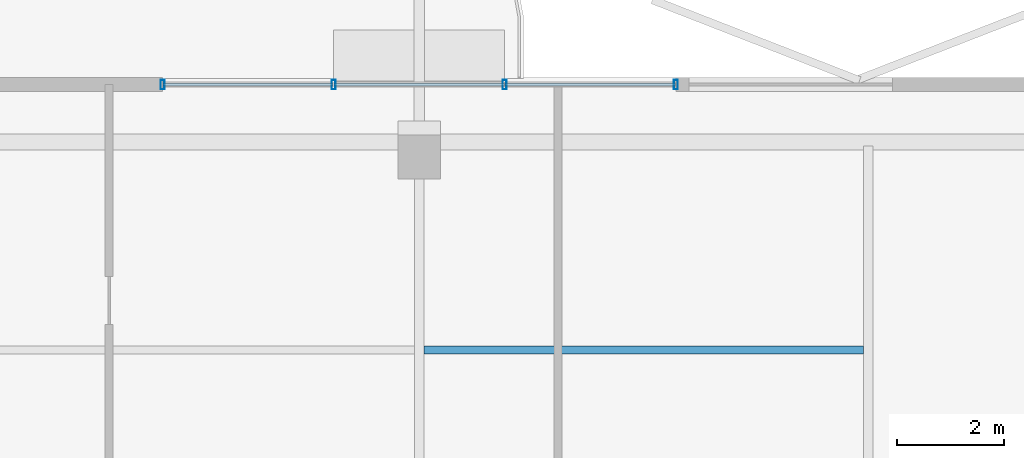
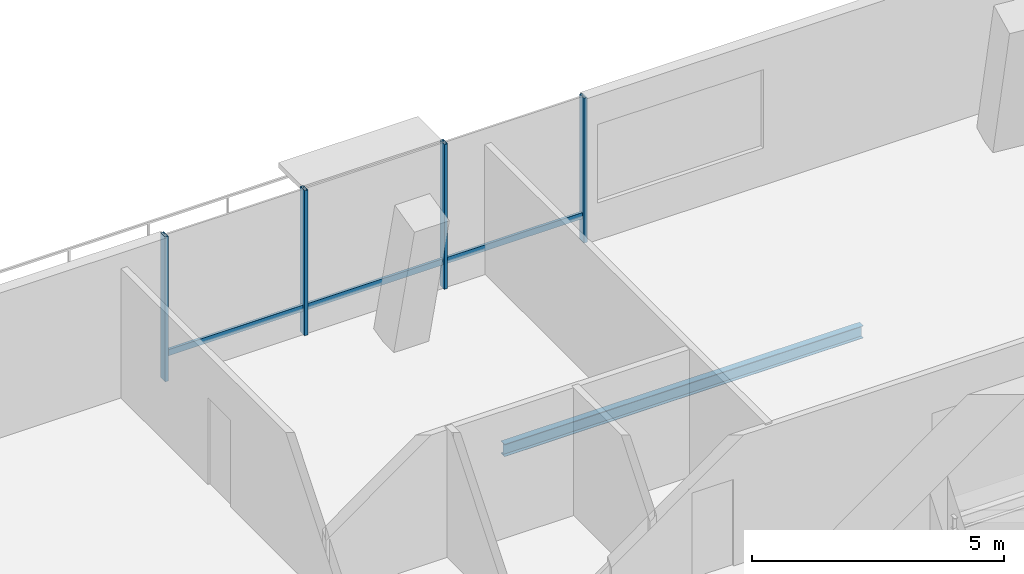
# One storey, part 11 of 19: 7 members, 1 beam, 1 element without a shape of its own.
"""IFC4 building model written with IfcOpenShell, lengths in metres."""

from ifc_helpers import new_model, si_unit, direction, frame, origin, origin_2d, place, context, subcontext, project, spatial, hollow_rectangle, i_section, extrude, material, layer, layer_set, material_profile, profile_set, type_object, element, aggregate, save


model = new_model("IFC4")

# Units and contexts
model_context = context("Model", 3, precision=1e-05, world=origin(), true_north=direction((0.0, 1.0)))
body_context = subcontext(model_context, "Body", "Model", "MODEL_VIEW")
ifc_project = project(units=[si_unit("LENGTHUNIT", "METRE"), si_unit("AREAUNIT", "SQUARE_METRE"), si_unit("VOLUMEUNIT", "CUBIC_METRE"), si_unit("PLANEANGLEUNIT", "RADIAN"), si_unit("MASSUNIT", "GRAM", prefix="KILO")], contexts=[model_context])

# Site, building, storey
site_placement = place(None, origin())
site = spatial("IfcSite", under=ifc_project, at=site_placement, CompositionType="ELEMENT")
building_placement = place(site_placement, origin())
building = spatial("IfcBuilding", under=site, at=building_placement, Name="Belovzor Exchange Tower", CompositionType="ELEMENT")
storey_placement = place(building_placement, frame((0.0, 0.0, 340.5)))
storey = spatial("IfcBuildingStorey", under=building, at=storey_placement, Name="L85", CompositionType="ELEMENT", Elevation=340.5)

# Beam
ifc_material_1 = material(Name="Steel S355", Category="steel")
ifc_material_profile_1 = material_profile(ifc_material_1, i_section(OverallWidth=0.14990234375, OverallDepth=0.300048828125, WebThickness=0.007080078125, FlangeThickness=0.0107421875, at=origin_2d()))
ifc_profile_set_1 = profile_set([ifc_material_profile_1], Name="Steel S355")
beam_type = type_object("IfcBeamType", Name="Secondary Trim Floor Joist IPE 300", PredefinedType="BEAM", material=ifc_profile_set_1)
beam_placement = place(storey_placement, frame((28.889892578125, 45.908935546875, -0.389892578125), z_axis=(1.0, 0.0, 0.0), x_axis=(0.0, 1.0, 0.0)))
element("IfcBeam", 1, at=beam_placement, inside=storey, type_object=beam_type, Name="FJ-300 Secondary Trim Floor Joist IPE 300", PredefinedType="BEAM", context=body_context, shape_type="SweptSolid", body=[
    extrude(i_section(OverallWidth=0.14990234375, OverallDepth=0.300048828125, WebThickness=0.007080078125, FlangeThickness=0.0107421875, at=origin_2d()), origin(), (0.0, 0.0, 1.0), 8.22021484375),
])

# Curtain wall, members
ifc_material_2 = material(Name="Anodised Aluminium Framing", Category="aluminium")
ifc_layer = layer(ifc_material_2, 0.179931640625)
ifc_layer_set = layer_set([ifc_layer], Name="Anodised Aluminium Framing")
curtain_wall_type = type_object("IfcCurtainWallType", Name="Recessed Loggia Low-Iron Triple-Glazed Curtain Wall", PredefinedType="NOTDEFINED", material=ifc_layer_set)
curtain_wall_placement = place(storey_placement, origin())
curtain_wall = element("IfcCurtainWall", 2, at=curtain_wall_placement, inside=storey, type_object=curtain_wall_type, Name="CW3 Recessed Loggia Low-Iron Triple-Glazed Curtain Wall L85", PredefinedType="NOTDEFINED")
ifc_material_3 = material(Name="Steel S355", Category="steel")
ifc_material_profile_2 = material_profile(ifc_material_3, hollow_rectangle(XDim=0.074951171875, YDim=0.179931640625, WallThickness=0.0048828125, at=origin_2d()))
ifc_profile_set_2 = profile_set([ifc_material_profile_2], Name="Steel S355")
member_type_1 = type_object("IfcMemberType", Name="Thermally Broken Curtain Wall Mullion 180x75", PredefinedType="MULLION", material=ifc_profile_set_2)
member_1_placement = place(storey_placement, frame((24.0, 50.8701171875, 0.0), z_axis=(0.0, 0.0, 1.0), x_axis=(1.0, 0.0, 0.0)))
member_1 = element("IfcMember", 3, at=member_1_placement, type_object=member_type_1, Name="CW-M180 Curtain Wall Mullion 1", PredefinedType="MULLION", context=body_context, shape_type="SweptSolid", body=[
    extrude(hollow_rectangle(XDim=0.074951171875, YDim=0.179931640625, WallThickness=0.0048828125, at=origin_2d()), origin(), (0.0, 0.0, 1.0), 3.510009765625),
])
member_2_placement = place(storey_placement, frame((27.199951171875, 50.8701171875, 0.0), z_axis=(0.0, 0.0, 1.0), x_axis=(1.0, 0.0, 0.0)))
member_2 = element("IfcMember", 4, at=member_2_placement, type_object=member_type_1, Name="CW-M180 Curtain Wall Mullion 2", PredefinedType="MULLION", context=body_context, shape_type="SweptSolid", body=[
    extrude(hollow_rectangle(XDim=0.074951171875, YDim=0.179931640625, WallThickness=0.0048828125, at=origin_2d()), origin(), (0.0, 0.0, 1.0), 3.510009765625),
])
member_3_placement = place(storey_placement, frame((30.39990234375, 50.8701171875, 0.0), z_axis=(0.0, 0.0, 1.0), x_axis=(1.0, 0.0, 0.0)))
member_3 = element("IfcMember", 5, at=member_3_placement, type_object=member_type_1, Name="CW-M180 Curtain Wall Mullion 3", PredefinedType="MULLION", context=body_context, shape_type="SweptSolid", body=[
    extrude(hollow_rectangle(XDim=0.074951171875, YDim=0.179931640625, WallThickness=0.0048828125, at=origin_2d()), origin(), (0.0, 0.0, 1.0), 3.510009765625),
])
member_4_placement = place(storey_placement, frame((33.60009765625, 50.8701171875, 0.0), z_axis=(0.0, 0.0, 1.0), x_axis=(1.0, 0.0, 0.0)))
member_4 = element("IfcMember", 6, at=member_4_placement, type_object=member_type_1, Name="CW-M180 Curtain Wall Mullion 4", PredefinedType="MULLION", context=body_context, shape_type="SweptSolid", body=[
    extrude(hollow_rectangle(XDim=0.074951171875, YDim=0.179931640625, WallThickness=0.0048828125, at=origin_2d()), origin(), (0.0, 0.0, 1.0), 3.510009765625),
])
ifc_material_4 = material(Name="Steel S355", Category="steel")
ifc_material_profile_3 = material_profile(ifc_material_4, hollow_rectangle(XDim=0.06005859375, YDim=0.14990234375, WallThickness=0.00390625, at=origin_2d()))
ifc_profile_set_3 = profile_set([ifc_material_profile_3], Name="Steel S355")
member_type_2 = type_object("IfcMemberType", Name="Thermally Broken Curtain Wall Transom 150x60", PredefinedType="USERDEFINED", material=ifc_profile_set_3)
member_5_placement = place(storey_placement, frame((24.008056640625, 50.8701171875, 0.632080078125), z_axis=(1.0, 0.0, 0.0), x_axis=(0.0, 1.0, 0.0)))
member_5 = element("IfcMember", 7, at=member_5_placement, type_object=member_type_2, Name="CW-T150 Curtain Wall Transom 1", ObjectType="TRANSOM", PredefinedType="USERDEFINED", context=body_context, shape_type="SweptSolid", body=[
    extrude(hollow_rectangle(XDim=0.06005859375, YDim=0.14990234375, WallThickness=0.00390625, at=origin_2d()), origin(), (0.0, 0.0, 1.0), 3.183837890625),
])
member_6_placement = place(storey_placement, frame((27.2080078125, 50.8701171875, 0.632080078125), z_axis=(1.0, 0.0, 0.0), x_axis=(0.0, 1.0, 0.0)))
member_6 = element("IfcMember", 8, at=member_6_placement, type_object=member_type_2, Name="CW-T150 Curtain Wall Transom 2", ObjectType="TRANSOM", PredefinedType="USERDEFINED", context=body_context, shape_type="SweptSolid", body=[
    extrude(hollow_rectangle(XDim=0.06005859375, YDim=0.14990234375, WallThickness=0.00390625, at=origin_2d()), origin(), (0.0, 0.0, 1.0), 3.18408203125),
])
member_7_placement = place(storey_placement, frame((30.407958984375, 50.8701171875, 0.632080078125), z_axis=(1.0, 0.0, 0.0), x_axis=(0.0, 1.0, 0.0)))
member_7 = element("IfcMember", 9, at=member_7_placement, type_object=member_type_2, Name="CW-T150 Curtain Wall Transom 3", ObjectType="TRANSOM", PredefinedType="USERDEFINED", context=body_context, shape_type="SweptSolid", body=[
    extrude(hollow_rectangle(XDim=0.06005859375, YDim=0.14990234375, WallThickness=0.00390625, at=origin_2d()), origin(), (0.0, 0.0, 1.0), 3.18408203125),
])
aggregate(curtain_wall, [member_1, member_2, member_3, member_4, member_5, member_6, member_7])

save(model, "model.ifc")
